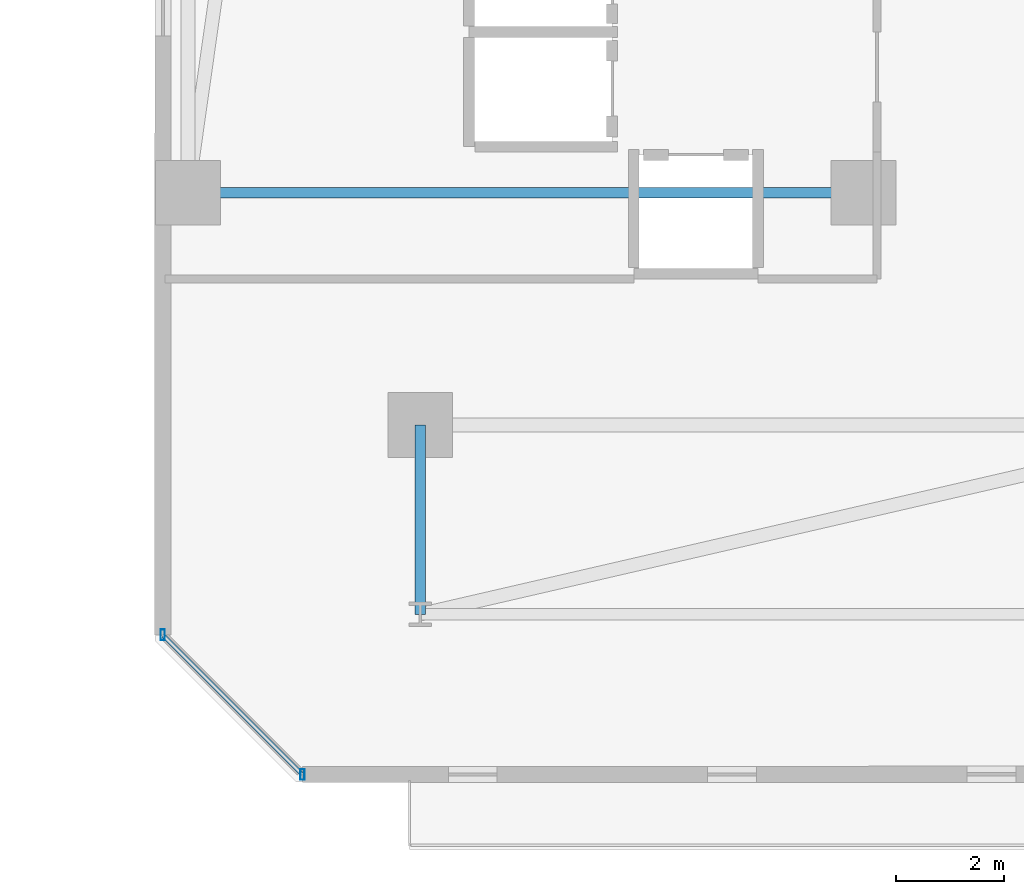
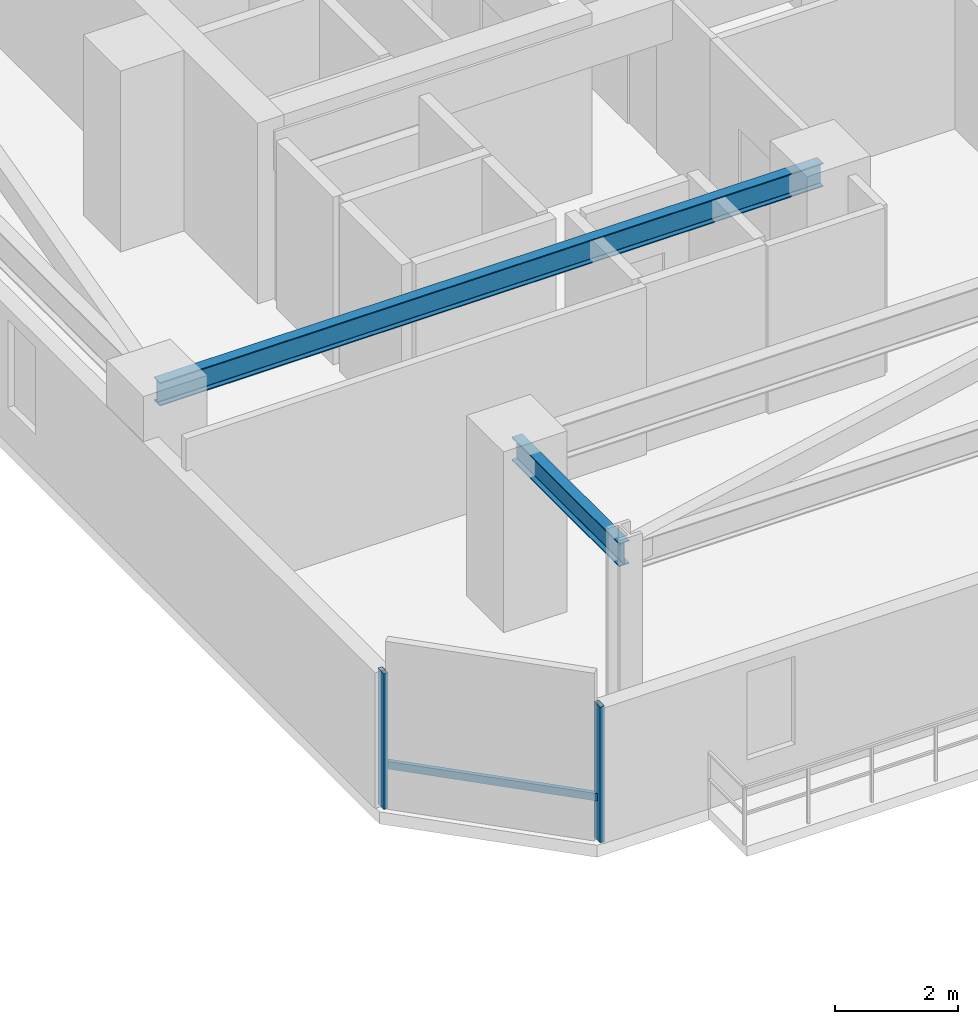
# One storey, part 10 of 33: 3 members, 2 beams, 1 element without a shape of its own.
"""IFC4 building model written with IfcOpenShell, lengths in metres."""

from ifc_helpers import new_model, si_unit, direction, frame, origin, origin_2d, place, context, subcontext, project, spatial, hollow_rectangle, i_section, extrude, material, material_profile, profile_set, type_object, element, aggregate, save


model = new_model("IFC4")

# Units and contexts
model_context = context("Model", 3, precision=1e-05, world=origin(), true_north=direction((0.0, 1.0)))
body_context = subcontext(model_context, "Body", "Model", "MODEL_VIEW")
ifc_project = project(units=[si_unit("LENGTHUNIT", "METRE"), si_unit("AREAUNIT", "SQUARE_METRE"), si_unit("VOLUMEUNIT", "CUBIC_METRE"), si_unit("PLANEANGLEUNIT", "RADIAN"), si_unit("MASSUNIT", "GRAM", prefix="KILO")], contexts=[model_context])

# Site, building, storey
site_placement = place(None, origin())
site = spatial("IfcSite", under=ifc_project, at=site_placement, CompositionType="ELEMENT")
building_placement = place(site_placement, origin())
building = spatial("IfcBuilding", under=site, at=building_placement, Name="Thornwick Lancets Civic Towers", CompositionType="ELEMENT")
storey_placement = place(building_placement, frame((0.0, 0.0, 134.10009765625)))
storey = spatial("IfcBuildingStorey", under=building, at=storey_placement, Name="L35", CompositionType="ELEMENT", Elevation=134.10009765625)

# Beams
ifc_material_1 = material(Name="Steel S355JR", Category="steel")
ifc_material_profile_1 = material_profile(ifc_material_1, i_section(OverallWidth=0.19287109375, OverallDepth=0.46728515625, WebThickness=0.011474609375, FlangeThickness=0.01953125, FilletRadius=0.01025390625, at=origin_2d()), Name="UKB 457x191x98")
ifc_profile_set_1 = profile_set([ifc_material_profile_1], Name="Steel S355JR")
beam_type = type_object("IfcBeamType", Name="BM_JOIST_457_98", PredefinedType="JOIST", material=ifc_profile_set_1)
beam_1_placement = place(storey_placement, frame((83.699951171875, 14.0, 3.126220703125), z_axis=(-1.0, 0.0, 0.0), x_axis=(0.0, -1.0, 0.0)))
element("IfcBeam", 1, at=beam_1_placement, inside=storey, type_object=beam_type, Name="BM-RADIN-L35-B07", PredefinedType="JOIST", context=body_context, shape_type="SweptSolid", body=[
    extrude(i_section(OverallWidth=0.19287109375, OverallDepth=0.46728515625, WebThickness=0.011474609375, FlangeThickness=0.01953125, FilletRadius=0.01025390625, at=origin_2d()), origin(), (0.0, 0.0, 1.0), 12.5),
])
beam_2_placement = place(storey_placement, frame((75.5, 9.699951171875, 3.126220703125), z_axis=(0.0, -1.0, 0.0), x_axis=(1.0, 0.0, 0.0)))
element("IfcBeam", 2, at=beam_2_placement, inside=storey, type_object=beam_type, Name="BM-RAD-L35-B12", PredefinedType="JOIST", context=body_context, shape_type="SweptSolid", body=[
    extrude(i_section(OverallWidth=0.19287109375, OverallDepth=0.46728515625, WebThickness=0.011474609375, FlangeThickness=0.01953125, FilletRadius=0.01025390625, at=origin_2d()), origin(), (0.0, 0.0, 1.0), 3.5),
])

# Curtain wall, members
ifc_material_2 = material(Name="Mid-zone chamfered-corner unitised glass curtain wall", Category="glass")
curtain_wall_type = type_object("IfcCurtainWallType", Name="CW_SYS_04", PredefinedType="NOTDEFINED", material=ifc_material_2)
curtain_wall_placement = place(storey_placement, origin())
curtain_wall = element("IfcCurtainWall", 3, at=curtain_wall_placement, inside=storey, type_object=curtain_wall_type, Name="L35 Curtain Wall CW-L35-B-E7", PredefinedType="NOTDEFINED")
ifc_material_3 = material(Name="Thermally broken bronze aluminium S355", Category="steel")
ifc_material_profile_2 = material_profile(ifc_material_3, hollow_rectangle(XDim=0.080078125, YDim=0.199951171875, WallThickness=0.006103515625, at=origin_2d()), Name="RHS 200x80x6")
ifc_profile_set_2 = profile_set([ifc_material_profile_2], Name="Thermally broken bronze aluminium S355")
member_type_1 = type_object("IfcMemberType", Name="CW_MUL_200", PredefinedType="MULLION", material=ifc_profile_set_2)
member_1_placement = place(storey_placement, frame((70.7353515625, 5.818603515625, 0.0), z_axis=(0.0, 0.0, 1.0), x_axis=(1.0, 0.0, 0.0)))
member_1 = element("IfcMember", 4, at=member_1_placement, type_object=member_type_1, Name="CW-L35-B-E7 Mullion 0", PredefinedType="MULLION", context=body_context, shape_type="SweptSolid", body=[
    extrude(hollow_rectangle(XDim=0.080078125, YDim=0.199951171875, WallThickness=0.006103515625, at=origin_2d()), origin(), (0.0, 0.0, 1.0), 2.699951171875),
])
member_2_placement = place(storey_placement, frame((73.318603515625, 3.2353515625, 0.0), z_axis=(0.0, 0.0, 1.0), x_axis=(1.0, 0.0, 0.0)))
member_2 = element("IfcMember", 5, at=member_2_placement, type_object=member_type_1, Name="CW-L35-B-E7 Mullion 1", PredefinedType="MULLION", context=body_context, shape_type="SweptSolid", body=[
    extrude(hollow_rectangle(XDim=0.080078125, YDim=0.199951171875, WallThickness=0.006103515625, at=origin_2d()), origin(), (0.0, 0.0, 1.0), 2.699951171875),
])
ifc_material_profile_3 = material_profile(ifc_material_3, hollow_rectangle(XDim=0.074951171875, YDim=0.14990234375, WallThickness=0.0048828125, at=origin_2d()), Name="RHS 150x75x5")
ifc_profile_set_3 = profile_set([ifc_material_profile_3], Name="Thermally broken bronze aluminium S355")
member_type_2 = type_object("IfcMemberType", Name="CW_TRN_150", PredefinedType="USERDEFINED", material=ifc_profile_set_3)
member_3_placement = place(storey_placement, frame((70.74951171875, 5.804443359375, 0.849853515625), z_axis=(0.707106781187, -0.707106781187, 0.0), x_axis=(0.707106781187, 0.707106781187, 0.0)))
member_3 = element("IfcMember", 6, at=member_3_placement, type_object=member_type_2, Name="CW-L35-B-E7 Transom 0", ObjectType="TRANSOM", PredefinedType="USERDEFINED", context=body_context, shape_type="SweptSolid", body=[
    extrude(hollow_rectangle(XDim=0.074951171875, YDim=0.14990234375, WallThickness=0.0048828125, at=origin_2d()), origin(), (0.0, 0.0, 1.0), 3.61328125),
])
aggregate(curtain_wall, [member_1, member_2, member_3])

save(model, "model.ifc")
